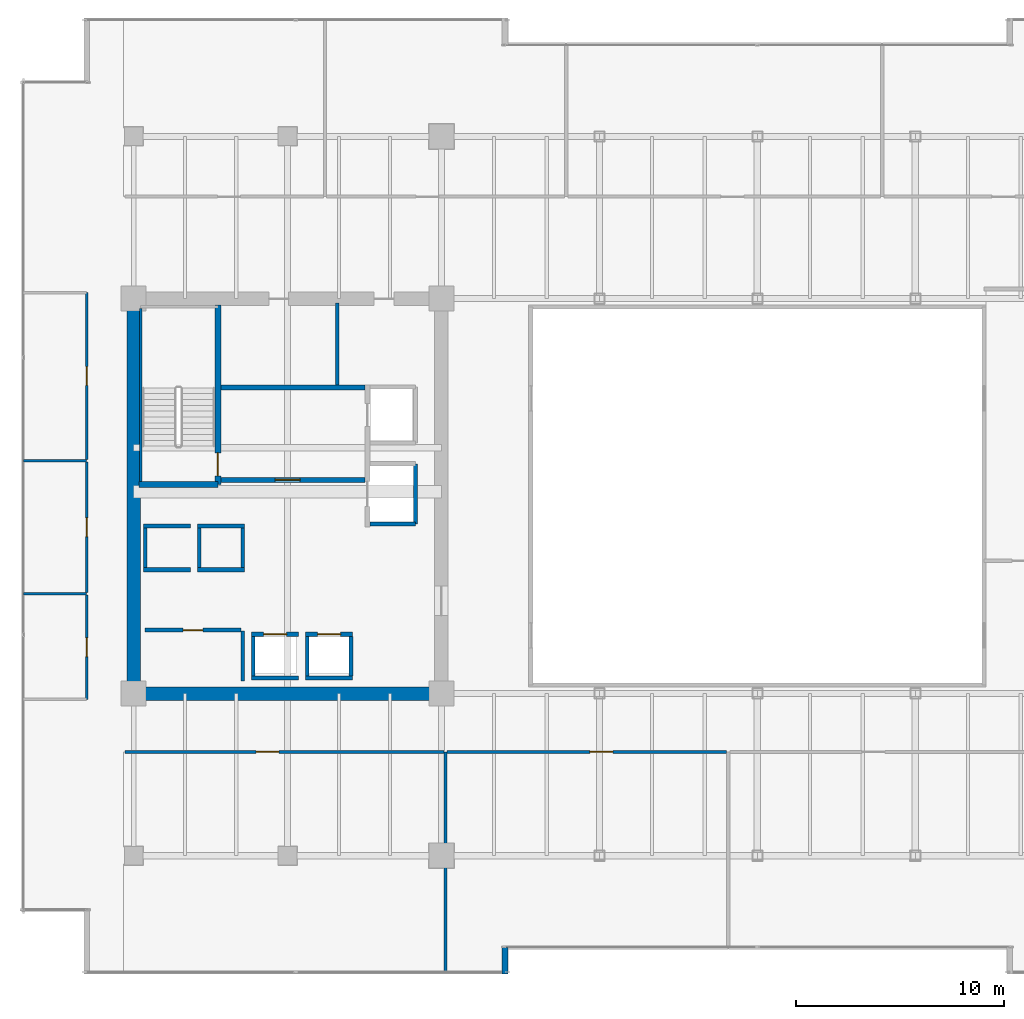
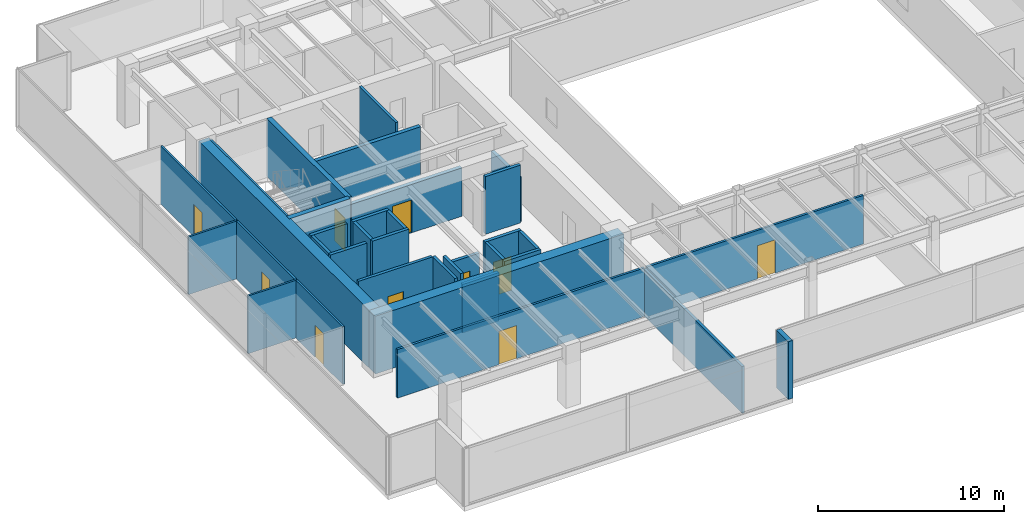
# One storey, part 25 of 34: 35 walls, 10 doors, 10 openings.
"""IFC4 building model written with IfcOpenShell, lengths in metres."""

from ifc_helpers import new_model, si_unit, direction, frame, frame_2d, origin, place, context, subcontext, project, spatial, rectangle, extrude, source, transform, mapped, material, layer, layer_set, type_object, type_shapes, element, fill, save


model = new_model("IFC4")

# Units and contexts
model_context = context("Model", 3, precision=1e-05, world=origin(), true_north=direction((0.0, 1.0)))
body_context = subcontext(model_context, "Body", "Model", "MODEL_VIEW")
ifc_project = project(units=[si_unit("LENGTHUNIT", "METRE"), si_unit("AREAUNIT", "SQUARE_METRE"), si_unit("VOLUMEUNIT", "CUBIC_METRE"), si_unit("PLANEANGLEUNIT", "RADIAN"), si_unit("MASSUNIT", "GRAM", prefix="KILO")], contexts=[model_context])

# Site, building, storey
site_placement = place(None, origin())
site = spatial("IfcSite", under=ifc_project, at=site_placement, CompositionType="ELEMENT")
building_placement = place(site_placement, origin())
building = spatial("IfcBuilding", under=site, at=building_placement, Name="Haelvirn Gate Laboratories", CompositionType="ELEMENT")
storey_placement = place(building_placement, frame((0.0, 0.0, 178.89990234375)))
storey = spatial("IfcBuildingStorey", under=building, at=storey_placement, Name="L43", CompositionType="ELEMENT", Elevation=178.89990234375)

# Walls
ifc_material_1 = material(Name="Thermally-broken bronze aluminium rainscreen & mineral wool", Category="aluminium")
ifc_layer_1 = layer(ifc_material_1, 0.280029296875, Name="EW-TERR-280")
ifc_layer_set_1 = layer_set([ifc_layer_1], Name="Thermally-broken bronze aluminium rainscreen & mineral wool")
wall_type_1 = type_object("IfcWallType", Name="EW-TERR-280", PredefinedType="STANDARD", material=ifc_layer_set_1)
wall_1_placement = place(storey_placement, frame((25.260009765625, 1.300048828125, 0.0), z_axis=(0.0, 0.0, 1.0), x_axis=(0.0, 1.0, 0.0)))
element("IfcWall", 1, at=wall_1_placement, inside=storey, type_object=wall_type_1, Name="L43 Atrium Recess Bronze Return Wall 01", PredefinedType="STANDARD", context=body_context, shape_type="SweptSolid", body=[
    extrude(rectangle(XDim=1.287841796875, YDim=0.280029296875, at=frame_2d((0.64404296875, 0.0))), origin(), (0.0, 0.0, 1.0), 3.7900390625),
])
ifc_material_2 = material(Name="Double-layer acoustic gypsum laboratory partition", Category="gypsum")
ifc_layer_2 = layer(ifc_material_2, 0.159912109375, Name="IW-ACOUST-160")
ifc_layer_set_2 = layer_set([ifc_layer_2], Name="Double-layer acoustic gypsum laboratory partition")
wall_type_2 = type_object("IfcWallType", Name="IW-ACOUST-160", PredefinedType="PARTITIONING", material=ifc_layer_set_2)
wall_2_placement = place(storey_placement, frame((22.39990234375, 1.409912109375, 0.0), z_axis=(0.0, 0.0, 1.0), x_axis=(0.0, 1.0, 0.0)))
element("IfcWall", 2, at=wall_2_placement, inside=storey, type_object=wall_type_2, Name="L43 Interior Wall IW-L43-SDIV-01", PredefinedType="PARTITIONING", context=body_context, shape_type="SweptSolid", body=[
    extrude(rectangle(XDim=10.580078125, YDim=0.159912109375, at=frame_2d((5.2900390625, 0.0))), origin(), (0.0, 0.0, 1.0), 3.0751953125),
])

# Wall, opening, door
ifc_material_3 = material(Name="Lightweight acoustic gypsum board partition", Category="gypsum")
ifc_layer_3 = layer(ifc_material_3, 0.1201171875, Name="IW-PART-120")
ifc_layer_set_3 = layer_set([ifc_layer_3], Name="Lightweight acoustic gypsum board partition")
wall_type_3 = type_object("IfcWallType", Name="IW-PART-120", PredefinedType="PARTITIONING", material=ifc_layer_set_3)
wall_3_placement = place(storey_placement, frame((5.1298828125, 14.514892578125, 0.0), z_axis=(0.0, 0.0, 1.0), x_axis=(0.0, 1.0, 0.0)))
wall_3 = element("IfcWall", 3, at=wall_3_placement, inside=storey, type_object=wall_type_3, Name="L43 Interior Wall IW-L43-WPASS-01", PredefinedType="PARTITIONING", context=body_context, shape_type="SweptSolid", body=[
    extrude(rectangle(XDim=5.025146484375, YDim=0.1201171875, at=frame_2d((2.5126953125, 0.0))), origin(), (0.0, 0.0, 1.0), 3.7900390625),
])
opening_1_placement = place(wall_3_placement, frame((2.0625, 0.0, 0.0)))
opening_1 = element("IfcOpeningElement", 4, at=opening_1_placement, cuts=wall_3, Name="Opening D4", PredefinedType="OPENING", context=body_context, shape_type="SweptSolid", body=[
    extrude(rectangle(XDim=0.89990234375, YDim=2.10009765625, at=frame_2d((0.449951171875, 1.050048828125))), frame((0.0, 0.070068359375, 0.0), z_axis=(0.0, -1.0, 0.0), x_axis=(1.0, 0.0, 0.0)), (0.0, 0.0, 1.0), 0.14013671875),
])
ifc_material_4 = material(Name="Glazed aluminium-framed write-up door", Category="aluminium")
door_type_1 = type_object("IfcDoorType", Name="DR-OFF-900", OperationType="NOTDEFINED", PredefinedType="DOOR", material=ifc_material_4)
shared_shape_1 = source(origin(), body_context, "Body", "SweptSolid", [
    extrude(rectangle(XDim=0.89990234375, YDim=2.10009765625, at=frame_2d((0.449951171875, 1.050048828125))), frame((0.0, 0.02490234375, 0.0), z_axis=(0.0, -1.0, 0.0), x_axis=(1.0, 0.0, 0.0)), (0.0, 0.0, 1.0), 0.050048828125),
])
type_shapes(door_type_1, [shared_shape_1])
door_1_placement = place(opening_1_placement, origin())
door_1 = element("IfcDoor", 5, at=door_1_placement, inside=storey, type_object=door_type_1, Name="L43 Colloquium Conference Room Door W1", OperationType="SINGLE_SWING_LEFT", OverallHeight=2.10009765625, OverallWidth=0.89990234375, PredefinedType="DOOR", context=body_context, shape_type="MappedRepresentation", body=[
    mapped(shared_shape_1, transform((0.0, 0.0, 0.0), scale=1.0)),
])
fill(opening_1, door_1)

# Wall
wall_4_placement = place(storey_placement, frame((2.110107421875, 19.60009765625, 0.0), z_axis=(0.0, 0.0, 1.0), x_axis=(1.0, 0.0, 0.0)))
element("IfcWall", 6, at=wall_4_placement, inside=storey, type_object=wall_type_3, Name="L43 Interior Wall IW-L43-WDIV-01", PredefinedType="PARTITIONING", context=body_context, shape_type="SweptSolid", body=[
    extrude(rectangle(XDim=3.019775390625, YDim=0.1201171875, at=frame_2d((1.509765625, 0.0))), origin(), (0.0, 0.0, 1.0), 3.7900390625),
])

# Wall, opening, door
wall_5_placement = place(storey_placement, frame((5.1298828125, 19.659912109375, 0.0), z_axis=(0.0, 0.0, 1.0), x_axis=(0.0, 1.0, 0.0)))
wall_5 = element("IfcWall", 7, at=wall_5_placement, inside=storey, type_object=wall_type_3, Name="L43 Interior Wall IW-L43-WPASS-02", PredefinedType="PARTITIONING", context=body_context, shape_type="SweptSolid", body=[
    extrude(rectangle(XDim=6.280029296875, YDim=0.1201171875, at=frame_2d((3.14013671875, 0.0))), origin(), (0.0, 0.0, 1.0), 3.7900390625),
])
opening_2_placement = place(wall_5_placement, frame((2.68994140625, 0.0, 0.0)))
opening_2 = element("IfcOpeningElement", 8, at=opening_2_placement, cuts=wall_5, Name="Opening D4", PredefinedType="OPENING", context=body_context, shape_type="SweptSolid", body=[
    extrude(rectangle(XDim=0.89990234375, YDim=2.10009765625, at=frame_2d((0.449951171875, 1.050048828125))), frame((0.0, 0.070068359375, 0.0), z_axis=(0.0, -1.0, 0.0), x_axis=(1.0, 0.0, 0.0)), (0.0, 0.0, 1.0), 0.14013671875),
])
door_2_placement = place(opening_2_placement, origin())
door_2 = element("IfcDoor", 9, at=door_2_placement, inside=storey, type_object=door_type_1, Name="L43 Proteomics Mass-Spec Laboratory Door W2", OperationType="SINGLE_SWING_RIGHT", OverallHeight=2.10009765625, OverallWidth=0.89990234375, PredefinedType="DOOR", context=body_context, shape_type="MappedRepresentation", body=[
    mapped(shared_shape_1, transform((0.0, 0.0, 0.0), scale=1.0)),
])
fill(opening_2, door_2)

# Wall
wall_6_placement = place(storey_placement, frame((2.110107421875, 26.0, 0.0), z_axis=(0.0, 0.0, 1.0), x_axis=(1.0, 0.0, 0.0)))
element("IfcWall", 10, at=wall_6_placement, inside=storey, type_object=wall_type_3, Name="L43 Interior Wall IW-L43-WDIV-02", PredefinedType="PARTITIONING", context=body_context, shape_type="SweptSolid", body=[
    extrude(rectangle(XDim=3.019775390625, YDim=0.1201171875, at=frame_2d((1.509765625, 0.0))), origin(), (0.0, 0.0, 1.0), 3.7900390625),
])

# Wall, opening, door
wall_7_placement = place(storey_placement, frame((5.1298828125, 26.06005859375, 0.0), z_axis=(0.0, 0.0, 1.0), x_axis=(0.0, 1.0, 0.0)))
wall_7 = element("IfcWall", 11, at=wall_7_placement, inside=storey, type_object=wall_type_3, Name="L43 Interior Wall IW-L43-WPASS-03", PredefinedType="PARTITIONING", context=body_context, shape_type="SweptSolid", body=[
    extrude(rectangle(XDim=8.02490234375, YDim=0.1201171875, at=frame_2d((4.012451171875, 0.0))), origin(), (0.0, 0.0, 1.0), 3.7900390625),
])
opening_3_placement = place(wall_7_placement, frame((3.5625, 0.0, 0.0)))
opening_3 = element("IfcOpeningElement", 12, at=opening_3_placement, cuts=wall_7, Name="Opening D4", PredefinedType="OPENING", context=body_context, shape_type="SweptSolid", body=[
    extrude(rectangle(XDim=0.89990234375, YDim=2.10009765625, at=frame_2d((0.449951171875, 1.050048828125))), frame((0.0, 0.070068359375, 0.0), z_axis=(0.0, -1.0, 0.0), x_axis=(1.0, 0.0, 0.0)), (0.0, 0.0, 1.0), 0.14013671875),
])
door_3_placement = place(opening_3_placement, origin())
door_3 = element("IfcDoor", 13, at=door_3_placement, inside=storey, type_object=door_type_1, Name="L43 Chemical Synthesis Laboratory Door W3", OperationType="SINGLE_SWING_LEFT", OverallHeight=2.10009765625, OverallWidth=0.89990234375, PredefinedType="DOOR", context=body_context, shape_type="MappedRepresentation", body=[
    mapped(shared_shape_1, transform((0.0, 0.0, 0.0), scale=1.0)),
])
fill(opening_3, door_3)

ifc_material_5 = material(Name="Acoustic mineral-wool gypsum board partition", Category="gypsum")
ifc_layer_4 = layer(ifc_material_5, 0.139892578125, Name="IW-PART-140")
ifc_layer_set_4 = layer_set([ifc_layer_4], Name="Acoustic mineral-wool gypsum board partition")
wall_type_4 = type_object("IfcWallType", Name="IW-PART-140", PredefinedType="PARTITIONING", material=ifc_layer_set_4)
wall_8_placement = place(storey_placement, frame((6.97998046875, 11.989990234375, 0.0), z_axis=(0.0, 0.0, 1.0), x_axis=(1.0, 0.0, 0.0)))
wall_8 = element("IfcWall", 14, at=wall_8_placement, inside=storey, type_object=wall_type_4, Name="L43 Interior Wall IW-L43-SCORR-01", PredefinedType="PARTITIONING", context=body_context, shape_type="SweptSolid", body=[
    extrude(rectangle(XDim=15.340087890625, YDim=0.139892578125, at=frame_2d((7.669921875, 0.0))), origin(), (0.0, 0.0, 1.0), 3.18701171875),
])
opening_4_placement = place(wall_8_placement, frame((6.3076171875, 0.0, 0.0)))
opening_4 = element("IfcOpeningElement", 15, at=opening_4_placement, cuts=wall_8, Name="Opening D1", PredefinedType="OPENING", context=body_context, shape_type="SweptSolid", body=[
    extrude(rectangle(XDim=1.10009765625, YDim=2.179931640625, at=frame_2d((0.550048828125, 1.08984375))), frame((0.0, 0.080078125, 0.0), z_axis=(0.0, -1.0, 0.0), x_axis=(1.0, 0.0, 0.0)), (0.0, 0.0, 1.0), 0.159912109375),
])
ifc_material_6 = material(Name="Vision-panel acoustic solid-core timber lab door", Category="wood")
door_type_2 = type_object("IfcDoorType", Name="DR-LAB-1100", OperationType="NOTDEFINED", PredefinedType="DOOR", material=ifc_material_6)
shared_shape_2 = source(origin(), body_context, "Body", "SweptSolid", [
    extrude(rectangle(XDim=1.10009765625, YDim=2.179931640625, at=frame_2d((0.550048828125, 1.08984375))), frame((0.0, 0.02490234375, 0.0), z_axis=(0.0, -1.0, 0.0), x_axis=(1.0, 0.0, 0.0)), (0.0, 0.0, 1.0), 0.050048828125),
])
type_shapes(door_type_2, [shared_shape_2])
door_4_placement = place(opening_4_placement, origin())
door_4 = element("IfcDoor", 16, at=door_4_placement, inside=storey, type_object=door_type_2, Name="L43 Analytical Instrument Suite Door S1", OperationType="SINGLE_SWING_RIGHT", OverallHeight=2.179931640625, OverallWidth=1.10009765625, PredefinedType="DOOR", context=body_context, shape_type="MappedRepresentation", body=[
    mapped(shared_shape_2, transform((0.0, 0.0, 0.0), scale=1.0)),
])
fill(opening_4, door_4)

wall_9_placement = place(storey_placement, frame((22.47998046875, 11.989990234375, 0.0), z_axis=(0.0, 0.0, 1.0), x_axis=(1.0, 0.0, 0.0)))
wall_9 = element("IfcWall", 17, at=wall_9_placement, inside=storey, type_object=wall_type_4, Name="L43 Interior Wall IW-L43-SCORR-02", PredefinedType="PARTITIONING", context=body_context, shape_type="SweptSolid", body=[
    extrude(rectangle(XDim=13.43994140625, YDim=0.139892578125, at=frame_2d((6.719970703125, 0.0))), origin(), (0.0, 0.0, 1.0), 3.18701171875),
])
opening_5_placement = place(wall_9_placement, frame((6.868408203125, 0.0, 0.0)))
opening_5 = element("IfcOpeningElement", 18, at=opening_5_placement, cuts=wall_9, Name="Opening D1", PredefinedType="OPENING", context=body_context, shape_type="SweptSolid", body=[
    extrude(rectangle(XDim=1.10009765625, YDim=2.179931640625, at=frame_2d((0.550048828125, 1.08984375))), frame((0.0, 0.080078125, 0.0), z_axis=(0.0, -1.0, 0.0), x_axis=(1.0, 0.0, 0.0)), (0.0, 0.0, 1.0), 0.159912109375),
])
door_5_placement = place(opening_5_placement, origin())
door_5 = element("IfcDoor", 19, at=door_5_placement, inside=storey, type_object=door_type_2, Name="L43 Cleanroom Metrology Suite Door S2", OperationType="SINGLE_SWING_LEFT", OverallHeight=2.179931640625, OverallWidth=1.10009765625, PredefinedType="DOOR", context=body_context, shape_type="MappedRepresentation", body=[
    mapped(shared_shape_2, transform((0.0, 0.0, 0.0), scale=1.0)),
])
fill(opening_5, door_5)

# Walls
ifc_material_7 = material(Name="Cement-board restroom plumbing chase wall", Category="gypsum")
ifc_layer_5 = layer(ifc_material_7, 0.155029296875, Name="IW-PLUMB-160")
ifc_layer_set_5 = layer_set([ifc_layer_5], Name="Cement-board restroom plumbing chase wall")
wall_type_5 = type_object("IfcWallType", Name="IW-PLUMB-160", PredefinedType="PLUMBINGWALL", material=ifc_layer_set_5)
wall_10_placement = place(storey_placement, frame((17.18994140625, 29.64990234375, 0.0), z_axis=(0.0, 0.0, 1.0), x_axis=(0.0, 1.0, 0.0)))
element("IfcWall", 20, at=wall_10_placement, inside=storey, type_object=wall_type_5, Name="L43 Interior Wall IW-L43-W-CDIV-1", PredefinedType="PLUMBINGWALL", context=body_context, shape_type="SweptSolid", body=[
    extrude(rectangle(XDim=3.93017578125, YDim=0.155029296875, at=frame_2d((1.965087890625, 0.0))), origin(), (0.0, 0.0, 1.0), 3.7900390625),
])
ifc_material_8 = material(Name="Concrete C40/50", Category="concrete")
ifc_layer_6 = layer(ifc_material_8, 0.179931640625, Name="IW-SHAFT-180")
ifc_layer_set_6 = layer_set([ifc_layer_6], Name="Concrete C40/50")
wall_type_6 = type_object("IfcWallType", Name="IW-SHAFT-180", PredefinedType="SOLIDWALL", material=ifc_layer_set_6)
for number, where, z_axis, x_axis, name in (
    (21, (13.14990234375, 15.64990234375, 0.0), (0.0, 0.0, 1.0), (0.0, 1.0, 0.0), "L43 Interior Wall IW-L43-PL5-SD"),
    (22, (15.75, 15.64990234375, 0.0), (0.0, 0.0, 1.0), (0.0, 1.0, 0.0), "L43 Interior Wall IW-L43-PL6-SD"),
    (23, (17.85009765625, 15.64990234375, 0.0), (0.0, 0.0, 1.0), (0.0, 1.0, 0.0), "L43 Interior Wall IW-L43-PL6-SDE"),
):
    element("IfcWall", number, at=place(storey_placement, frame(where, z_axis=z_axis, x_axis=x_axis)), inside=storey, type_object=wall_type_6, Name=name, PredefinedType="SOLIDWALL", context=body_context, shape_type="SweptSolid", body=[
        extrude(rectangle(XDim=1.900146484375, YDim=0.179931640625, at=frame_2d((0.9501953125, 0.0))), origin(), (0.0, 0.0, 1.0), 3.7900390625),
    ])
for number, where, z_axis, x_axis, name in (
    (24, (7.949951171875, 20.85009765625, 0.0), (0.0, 0.0, 1.0), (0.0, 1.0, 0.0), "L43 Interior Wall IW-L43-PL9-SD"),
    (25, (10.550048828125, 20.85009765625, 0.0), (0.0, 0.0, 1.0), (0.0, 1.0, 0.0), "L43 Interior Wall IW-L43-PL10-SD"),
    (26, (12.64990234375, 20.85009765625, 0.0), (0.0, 0.0, 1.0), (0.0, 1.0, 0.0), "L43 Interior Wall IW-L43-PL10-SDE"),
):
    element("IfcWall", number, at=place(storey_placement, frame(where, z_axis=z_axis, x_axis=x_axis)), inside=storey, type_object=wall_type_6, Name=name, PredefinedType="SOLIDWALL", context=body_context, shape_type="SweptSolid", body=[
        extrude(rectangle(XDim=1.89990234375, YDim=0.179931640625, at=frame_2d((0.949951171875, 0.0))), origin(), (0.0, 0.0, 1.0), 3.7900390625),
    ])

# Wall, opening, door
wall_11_placement = place(storey_placement, frame((7.949951171875, 17.85009765625, 0.0), z_axis=(0.0, 0.0, 1.0), x_axis=(1.0, 0.0, 0.0)))
wall_11 = element("IfcWall", 27, at=wall_11_placement, inside=storey, type_object=wall_type_6, Name="L43 Interior Wall IW-L43-W-FREED-LN-1", PredefinedType="SOLIDWALL", context=body_context, shape_type="SweptSolid", body=[
    extrude(rectangle(XDim=4.60009765625, YDim=0.179931640625, at=frame_2d((2.300048828125, 0.0))), origin(), (0.0, 0.0, 1.0), 3.7900390625),
])
opening_6_placement = place(wall_11_placement, frame((1.824951171875, 0.0, 0.0)))
opening_6 = element("IfcOpeningElement", 28, at=opening_6_placement, cuts=wall_11, Name="Opening FD4", PredefinedType="OPENING", context=body_context, shape_type="SweptSolid", body=[
    extrude(rectangle(XDim=0.949951171875, YDim=2.14990234375, at=frame_2d((0.47509765625, 1.074951171875))), frame((0.0, 0.10009765625, 0.0), z_axis=(0.0, -1.0, 0.0), x_axis=(1.0, 0.0, 0.0)), (0.0, 0.0, 1.0), 0.199951171875),
])
ifc_material_9 = material(Name="Fire-rated steel SM355 core service door", Category="steel")
door_type_3 = type_object("IfcDoorType", Name="DR-FD-950", OperationType="NOTDEFINED", PredefinedType="DOOR", material=ifc_material_9)
shared_shape_3 = source(origin(), body_context, "Body", "SweptSolid", [
    extrude(rectangle(XDim=0.949951171875, YDim=2.14990234375, at=frame_2d((0.47509765625, 1.074951171875))), frame((0.0, 0.02490234375, 0.0), z_axis=(0.0, -1.0, 0.0), x_axis=(1.0, 0.0, 0.0)), (0.0, 0.0, 1.0), 0.050048828125),
])
type_shapes(door_type_3, [shared_shape_3])
door_6_placement = place(opening_6_placement, origin())
door_6 = element("IfcDoor", 29, at=door_6_placement, inside=storey, type_object=door_type_3, Name="L43 Cryogenic Specimen Biobank Door", OperationType="SINGLE_SWING_LEFT", OverallHeight=2.14990234375, OverallWidth=0.949951171875, PredefinedType="DOOR", context=body_context, shape_type="MappedRepresentation", body=[
    mapped(shared_shape_3, transform((0.0, 0.0, 0.0), scale=1.0)),
])
fill(opening_6, door_6)

# Wall
wall_12_placement = place(storey_placement, frame((12.639892578125, 15.39990234375, 0.0), z_axis=(0.0, 0.0, 1.0), x_axis=(0.0, 1.0, 0.0)))
element("IfcWall", 30, at=wall_12_placement, inside=storey, type_object=wall_type_6, Name="L43 Interior Wall IW-L43-W-FREED-LE-1", PredefinedType="SOLIDWALL", context=body_context, shape_type="SweptSolid", body=[
    extrude(rectangle(XDim=2.400146484375, YDim=0.179931640625, at=frame_2d((1.2001953125, 0.0))), origin(), (0.0, 0.0, 1.0), 3.7900390625),
])

# Wall, opening, door
ifc_layer_7 = layer(ifc_material_8, 0.199951171875, Name="IW-SHAFT-200")
ifc_layer_set_7 = layer_set([ifc_layer_7], Name="Concrete C40/50")
wall_type_7 = type_object("IfcWallType", Name="IW-SHAFT-200", PredefinedType="SOLIDWALL", material=ifc_layer_set_7)
wall_13_placement = place(storey_placement, frame((13.070068359375, 17.64990234375, 0.0), z_axis=(0.0, 0.0, 1.0), x_axis=(1.0, 0.0, 0.0)))
wall_13 = element("IfcWall", 31, at=wall_13_placement, inside=storey, type_object=wall_type_7, Name="L43 Interior Wall IW-L43-PL5-FR", PredefinedType="SOLIDWALL", context=body_context, shape_type="SweptSolid", body=[
    extrude(rectangle(XDim=2.260009765625, YDim=0.199951171875, at=frame_2d((1.1298828125, 0.0))), origin(), (0.0, 0.0, 1.0), 3.18701171875),
])
opening_7_placement = place(wall_13_placement, frame((0.580078125, 0.0, 0.0)))
opening_7 = element("IfcOpeningElement", 32, at=opening_7_placement, cuts=wall_13, Name="Opening LD2", PredefinedType="OPENING", context=body_context, shape_type="SweptSolid", body=[
    extrude(rectangle(XDim=1.10009765625, YDim=2.219970703125, at=frame_2d((0.550048828125, 1.10986328125))), frame((0.0, 0.10986328125, 0.0), z_axis=(0.0, -1.0, 0.0), x_axis=(1.0, 0.0, 0.0)), (0.0, 0.0, 1.0), 0.219970703125),
])
ifc_material_10 = material(Name="Bronze stainless 316L sliding lift landing door")
door_type_4 = type_object("IfcDoorType", Name="DR-LD-1100", OperationType="NOTDEFINED", PredefinedType="USERDEFINED", material=ifc_material_10)
shared_shape_4 = source(origin(), body_context, "Body", "SweptSolid", [
    extrude(rectangle(XDim=1.10009765625, YDim=2.219970703125, at=frame_2d((0.550048828125, 1.10986328125))), frame((0.0, 0.02490234375, 0.0), z_axis=(0.0, -1.0, 0.0), x_axis=(1.0, 0.0, 0.0)), (0.0, 0.0, 1.0), 0.050048828125),
])
type_shapes(door_type_4, [shared_shape_4])
door_7_placement = place(opening_7_placement, origin())
door_7 = element("IfcDoor", 33, at=door_7_placement, inside=storey, type_object=door_type_4, Name="L43 Passenger Lift PL5 Landing Door", ObjectType="LANDING_DOOR", OperationType="SLIDING_TO_LEFT", OverallHeight=2.219970703125, OverallWidth=1.10009765625, PredefinedType="USERDEFINED", context=body_context, shape_type="MappedRepresentation", body=[
    mapped(shared_shape_4, transform((0.0, 0.0, 0.0), scale=1.0)),
])
fill(opening_7, door_7)

# Wall
wall_14_placement = place(storey_placement, frame((13.070068359375, 15.550048828125, 0.0), z_axis=(0.0, 0.0, 1.0), x_axis=(1.0, 0.0, 0.0)))
element("IfcWall", 34, at=wall_14_placement, inside=storey, type_object=wall_type_7, Name="L43 Interior Wall IW-L43-PL5-BK", PredefinedType="SOLIDWALL", context=body_context, shape_type="SweptSolid", body=[
    extrude(rectangle(XDim=2.260009765625, YDim=0.199951171875, at=frame_2d((1.1298828125, 0.0))), origin(), (0.0, 0.0, 1.0), 3.18701171875),
])

# Wall, opening, door
wall_15_placement = place(storey_placement, frame((15.669921875, 17.64990234375, 0.0), z_axis=(0.0, 0.0, 1.0), x_axis=(1.0, 0.0, 0.0)))
wall_15 = element("IfcWall", 35, at=wall_15_placement, inside=storey, type_object=wall_type_7, Name="L43 Interior Wall IW-L43-PL6-FR", PredefinedType="SOLIDWALL", context=body_context, shape_type="SweptSolid", body=[
    extrude(rectangle(XDim=2.260009765625, YDim=0.199951171875, at=frame_2d((1.1298828125, 0.0))), origin(), (0.0, 0.0, 1.0), 3.7900390625),
])
opening_8_placement = place(wall_15_placement, frame((0.580078125, 0.0, 0.0)))
opening_8 = element("IfcOpeningElement", 36, at=opening_8_placement, cuts=wall_15, Name="Opening LD2", PredefinedType="OPENING", context=body_context, shape_type="SweptSolid", body=[
    extrude(rectangle(XDim=1.10009765625, YDim=2.219970703125, at=frame_2d((0.550048828125, 1.10986328125))), frame((0.0, 0.10986328125, 0.0), z_axis=(0.0, -1.0, 0.0), x_axis=(1.0, 0.0, 0.0)), (0.0, 0.0, 1.0), 0.219970703125),
])
door_8_placement = place(opening_8_placement, origin())
door_8 = element("IfcDoor", 37, at=door_8_placement, inside=storey, type_object=door_type_4, Name="L43 Passenger Lift PL6 Landing Door", ObjectType="LANDING_DOOR", OperationType="SLIDING_TO_RIGHT", OverallHeight=2.219970703125, OverallWidth=1.10009765625, PredefinedType="USERDEFINED", context=body_context, shape_type="MappedRepresentation", body=[
    mapped(shared_shape_4, transform((0.0, 0.0, 0.0), scale=1.0)),
])
fill(opening_8, door_8)

# Walls
wall_16_placement = place(storey_placement, frame((15.669921875, 15.550048828125, 0.0), z_axis=(0.0, 0.0, 1.0), x_axis=(1.0, 0.0, 0.0)))
element("IfcWall", 38, at=wall_16_placement, inside=storey, type_object=wall_type_7, Name="L43 Interior Wall IW-L43-PL6-BK", PredefinedType="SOLIDWALL", context=body_context, shape_type="SweptSolid", body=[
    extrude(rectangle(XDim=2.260009765625, YDim=0.199951171875, at=frame_2d((1.1298828125, 0.0))), origin(), (0.0, 0.0, 1.0), 3.7900390625),
])
for number, where, z_axis, x_axis, name in (
    (39, (7.8701171875, 20.75, 0.0), (0.0, 0.0, 1.0), (1.0, 0.0, 0.0), "L43 Interior Wall IW-L43-PL9-FR"),
    (40, (7.8701171875, 22.85009765625, 0.0), (0.0, 0.0, 1.0), (1.0, 0.0, 0.0), "L43 Interior Wall IW-L43-PL9-BK"),
):
    element("IfcWall", number, at=place(storey_placement, frame(where, z_axis=z_axis, x_axis=x_axis)), inside=storey, type_object=wall_type_7, Name=name, PredefinedType="SOLIDWALL", context=body_context, shape_type="SweptSolid", body=[
        extrude(rectangle(XDim=2.259765625, YDim=0.199951171875, at=frame_2d((1.1298828125, 0.0))), origin(), (0.0, 0.0, 1.0), 3.7900390625),
    ])
for number, where, z_axis, x_axis, name in (
    (41, (10.469970703125, 20.75, 0.0), (0.0, 0.0, 1.0), (1.0, 0.0, 0.0), "L43 Interior Wall IW-L43-PL10-FR"),
    (42, (10.469970703125, 22.85009765625, 0.0), (0.0, 0.0, 1.0), (1.0, 0.0, 0.0), "L43 Interior Wall IW-L43-PL10-BK"),
):
    element("IfcWall", number, at=place(storey_placement, frame(where, z_axis=z_axis, x_axis=x_axis)), inside=storey, type_object=wall_type_7, Name=name, PredefinedType="SOLIDWALL", context=body_context, shape_type="SweptSolid", body=[
        extrude(rectangle(XDim=2.260009765625, YDim=0.199951171875, at=frame_2d((1.1298828125, 0.0))), origin(), (0.0, 0.0, 1.0), 3.7900390625),
    ])
wall_17_placement = place(storey_placement, frame((20.949951171875, 22.949951171875, 0.0), z_axis=(0.0, 0.0, 1.0), x_axis=(0.0, 1.0, 0.0)))
element("IfcWall", 43, at=wall_17_placement, inside=storey, type_object=wall_type_7, Name="L43 Interior Wall IW-L43-SL1-BK", PredefinedType="SOLIDWALL", context=body_context, shape_type="SweptSolid", body=[
    extrude(rectangle(XDim=2.900146484375, YDim=0.199951171875, at=frame_2d((1.4501953125, 0.0))), origin(), (0.0, 0.0, 1.0), 2.925048828125),
])
wall_18_placement = place(storey_placement, frame((18.760009765625, 22.949951171875, 0.0), z_axis=(0.0, 0.0, 1.0), x_axis=(1.0, 0.0, 0.0)))
element("IfcWall", 44, at=wall_18_placement, inside=storey, type_object=wall_type_7, Name="L43 Interior Wall IW-L43-SL1-S", PredefinedType="SOLIDWALL", context=body_context, shape_type="SweptSolid", body=[
    extrude(rectangle(XDim=2.18994140625, YDim=0.199951171875, at=frame_2d((1.094970703125, 0.0))), origin(), (0.0, 0.0, 1.0), 3.7900390625),
])

# Wall, opening, door
ifc_layer_8 = layer(ifc_material_8, 0.239990234375, Name="IW-SHAFT-240")
ifc_layer_set_8 = layer_set([ifc_layer_8], Name="Concrete C40/50")
wall_type_8 = type_object("IfcWallType", Name="IW-SHAFT-240", PredefinedType="SOLIDWALL", material=ifc_layer_set_8)
wall_19_placement = place(storey_placement, frame((11.60009765625, 25.080078125, 0.0), z_axis=(0.0, 0.0, 1.0), x_axis=(1.0, 0.0, 0.0)))
wall_19 = element("IfcWall", 45, at=wall_19_placement, inside=storey, type_object=wall_type_8, Name="L43 Interior Wall IW-L43-W-FF-S", PredefinedType="SOLIDWALL", context=body_context, shape_type="SweptSolid", body=[
    extrude(rectangle(XDim=6.919921875, YDim=0.239990234375, at=frame_2d((3.4599609375, 0.0))), origin(), (0.0, 0.0, 1.0), 3.18701171875),
])
opening_9_placement = place(wall_19_placement, frame((2.60009765625, 0.0, 0.0)))
opening_9 = element("IfcOpeningElement", 46, at=opening_9_placement, cuts=wall_19, Name="Opening FD2", PredefinedType="OPENING", context=body_context, shape_type="SweptSolid", body=[
    extrude(rectangle(XDim=1.199951171875, YDim=2.159912109375, at=frame_2d((0.60009765625, 1.080078125))), frame((0.0, 0.1298828125, 0.0), z_axis=(0.0, -1.0, 0.0), x_axis=(1.0, 0.0, 0.0)), (0.0, 0.0, 1.0), 0.260009765625),
])
ifc_material_11 = material(Name="Fire-rated steel SM355 compartment door", Category="steel")
door_type_5 = type_object("IfcDoorType", Name="DR-FD-1200", OperationType="NOTDEFINED", PredefinedType="DOOR", material=ifc_material_11)
shared_shape_5 = source(origin(), body_context, "Body", "SweptSolid", [
    extrude(rectangle(XDim=1.199951171875, YDim=2.159912109375, at=frame_2d((0.60009765625, 1.080078125))), frame((0.0, 0.02490234375, 0.0), z_axis=(0.0, -1.0, 0.0), x_axis=(1.0, 0.0, 0.0)), (0.0, 0.0, 1.0), 0.050048828125),
])
type_shapes(door_type_5, [shared_shape_5])
door_9_placement = place(opening_9_placement, origin())
door_9 = element("IfcDoor", 47, at=door_9_placement, inside=storey, type_object=door_type_5, Name="L43 West Firefighting Lobby Door", OperationType="SINGLE_SWING_RIGHT", OverallHeight=2.159912109375, OverallWidth=1.199951171875, PredefinedType="DOOR", context=body_context, shape_type="MappedRepresentation", body=[
    mapped(shared_shape_5, transform((0.0, 0.0, 0.0), scale=1.0)),
])
fill(opening_9, door_9)

# Walls
wall_20_placement = place(storey_placement, frame((11.60009765625, 29.52001953125, 0.0), z_axis=(0.0, 0.0, 1.0), x_axis=(1.0, 0.0, 0.0)))
element("IfcWall", 48, at=wall_20_placement, inside=storey, type_object=wall_type_8, Name="L43 Interior Wall IW-L43-W-FF-N", PredefinedType="SOLIDWALL", context=body_context, shape_type="SweptSolid", body=[
    extrude(rectangle(XDim=6.919921875, YDim=0.239990234375, at=frame_2d((3.4599609375, 0.0))), origin(), (0.0, 0.0, 1.0), 3.18701171875),
])
ifc_material_12 = material(Name="Concrete C60/75", Category="concrete")
ifc_layer_9 = layer(ifc_material_12, 0.64990234375, Name="SW-CORE-650")
ifc_layer_set_9 = layer_set([ifc_layer_9], Name="Concrete C60/75")
wall_type_9 = type_object("IfcWallType", Name="SW-CORE-650", PredefinedType="SHEAR", material=ifc_layer_set_9)
wall_21_placement = place(storey_placement, frame((7.074951171875, 14.800048828125, 0.0), z_axis=(0.0, 0.0, 1.0), x_axis=(1.0, 0.0, 0.0)))
element("IfcWall", 49, at=wall_21_placement, inside=storey, type_object=wall_type_9, Name="L43 W Core Shear Wall S", PredefinedType="SHEAR", context=body_context, shape_type="SweptSolid", body=[
    extrude(rectangle(XDim=15.449951171875, YDim=0.64990234375, at=frame_2d((7.72509765625, 0.0))), origin(), (0.0, 0.0, 1.0), 3.7900390625),
])
wall_22_placement = place(storey_placement, frame((7.39990234375, 15.125, 0.0), z_axis=(0.0, 0.0, 1.0), x_axis=(0.0, 1.0, 0.0)))
element("IfcWall", 50, at=wall_22_placement, inside=storey, type_object=wall_type_9, Name="L43 W Core Shear Wall W", PredefinedType="SHEAR", context=body_context, shape_type="SweptSolid", body=[
    extrude(rectangle(XDim=18.35009765625, YDim=0.64990234375, at=frame_2d((9.175048828125, 0.0))), origin(), (0.0, 0.0, 1.0), 3.7900390625),
])
ifc_material_13 = material(Name="Concrete C50/60", Category="concrete")
ifc_layer_10 = layer(ifc_material_13, 0.1201171875, Name="SW-LINER-120")
ifc_layer_set_10 = layer_set([ifc_layer_10], Name="Concrete C50/60")
wall_type_10 = type_object("IfcWallType", Name="SW-LINER-120", PredefinedType="SOLIDWALL", material=ifc_layer_set_10)
wall_23_placement = place(storey_placement, frame((7.72998046875, 25.0, 0.0), z_axis=(0.0, 0.0, 1.0), x_axis=(0.0, 1.0, 0.0)))
element("IfcWall", 51, at=wall_23_placement, inside=storey, type_object=wall_type_10, Name="L43 W Core Stair Shaft Liner Wall OUT", PredefinedType="SOLIDWALL", context=body_context, shape_type="SweptSolid", body=[
    extrude(rectangle(XDim=8.320068359375, YDim=0.1201171875, at=frame_2d((4.16015625, 0.0))), origin(), (0.0, 0.0, 1.0), 3.7900390625),
])

# Wall, opening, door
ifc_layer_11 = layer(ifc_material_13, 0.300048828125, Name="SW-STAIR-300")
ifc_layer_set_11 = layer_set([ifc_layer_11], Name="Concrete C50/60")
wall_type_11 = type_object("IfcWallType", Name="SW-STAIR-300", PredefinedType="SHEAR", material=ifc_layer_set_11)
wall_24_placement = place(storey_placement, frame((11.449951171875, 24.85009765625, 0.0), z_axis=(0.0, 0.0, 1.0), x_axis=(0.0, 1.0, 0.0)))
wall_24 = element("IfcWall", 52, at=wall_24_placement, inside=storey, type_object=wall_type_11, Name="L43 W Core Stair Shaft Structural Wall IN", PredefinedType="SHEAR", context=body_context, shape_type="SweptSolid", body=[
    extrude(rectangle(XDim=8.6298828125, YDim=0.300048828125, at=frame_2d((4.31494140625, 0.0))), origin(), (0.0, 0.0, 1.0), 3.7900390625),
])
opening_10_placement = place(wall_24_placement, frame((0.419921875, 0.0, 0.0)))
opening_10 = element("IfcOpeningElement", 53, at=opening_10_placement, cuts=wall_24, Name="Opening FD3", PredefinedType="OPENING", context=body_context, shape_type="SweptSolid", body=[
    extrude(rectangle(XDim=1.10009765625, YDim=2.14990234375, at=frame_2d((0.550048828125, 1.074951171875))), frame((0.0, 0.16015625, 0.0), z_axis=(0.0, -1.0, 0.0), x_axis=(1.0, 0.0, 0.0)), (0.0, 0.0, 1.0), 0.320068359375),
])
ifc_material_14 = material(Name="Fire-rated steel SM355 escape stair door", Category="steel")
door_type_6 = type_object("IfcDoorType", Name="DR-FD-1100", OperationType="NOTDEFINED", PredefinedType="DOOR", material=ifc_material_14)
shared_shape_6 = source(origin(), body_context, "Body", "SweptSolid", [
    extrude(rectangle(XDim=1.10009765625, YDim=2.14990234375, at=frame_2d((0.550048828125, 1.074951171875))), frame((0.0, 0.02490234375, 0.0), z_axis=(0.0, -1.0, 0.0), x_axis=(1.0, 0.0, 0.0)), (0.0, 0.0, 1.0), 0.050048828125),
])
type_shapes(door_type_6, [shared_shape_6])
door_10_placement = place(opening_10_placement, origin())
door_10 = element("IfcDoor", 54, at=door_10_placement, inside=storey, type_object=door_type_6, Name="L43 Escape Stair ST1 Fire Door", OperationType="SINGLE_SWING_LEFT", OverallHeight=2.14990234375, OverallWidth=1.10009765625, PredefinedType="DOOR", context=body_context, shape_type="MappedRepresentation", body=[
    mapped(shared_shape_6, transform((0.0, 0.0, 0.0), scale=1.0)),
])
fill(opening_10, door_10)

# Wall
wall_25_placement = place(storey_placement, frame((7.64990234375, 24.85009765625, 0.0), z_axis=(0.0, 0.0, 1.0), x_axis=(1.0, 0.0, 0.0)))
element("IfcWall", 55, at=wall_25_placement, inside=storey, type_object=wall_type_11, Name="L43 W Core Stair Shaft Structural Wall S", PredefinedType="SHEAR", context=body_context, shape_type="SweptSolid", body=[
    extrude(rectangle(XDim=3.800048828125, YDim=0.300048828125, at=frame_2d((1.89990234375, 0.0))), origin(), (0.0, 0.0, 1.0), 3.7900390625),
])

save(model, "model.ifc")
